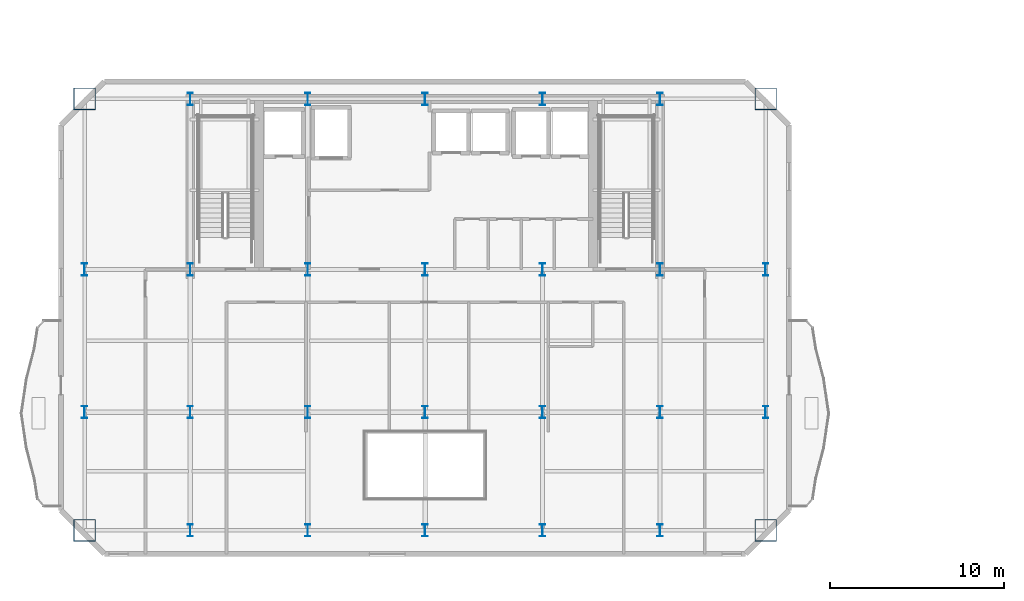
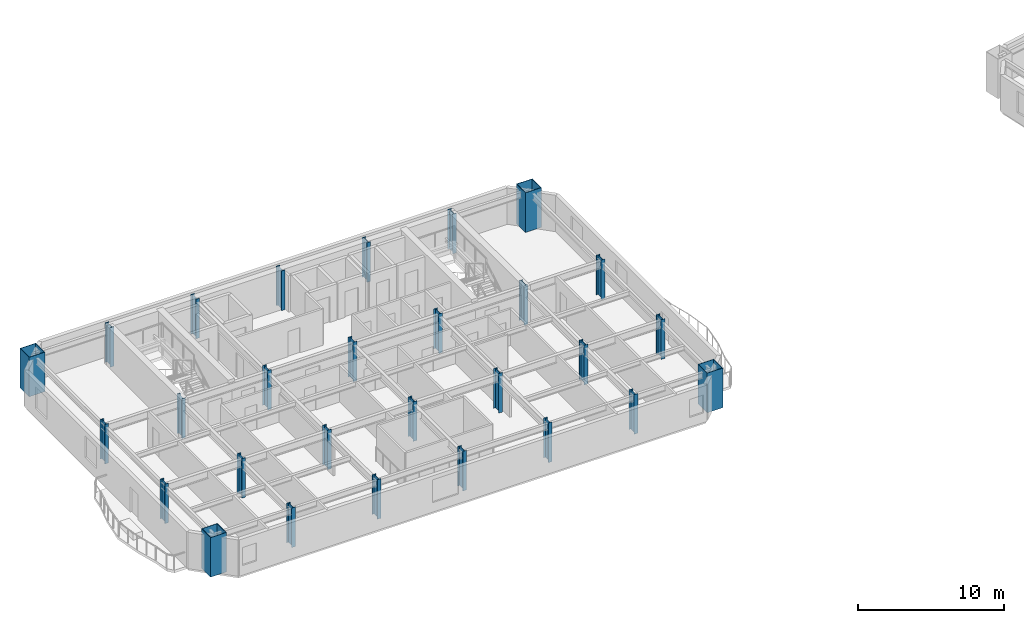
# One storey, part 1 of 14: 28 columns.
"""IFC4 building model written with IfcOpenShell, lengths in metres."""

import ifcopenshell
import ifcopenshell.guid

model = None  # the IFC model being written
_history = None  # IfcOwnerHistory: only IFC2X3 demands one
_inside = {}  # id of a spatial element -> (the spatial element, [elements in it])
_under = {}  # id of a project, library or spatial element -> (it, [spatial elements below it])
_declared = {}  # id of a project -> (the project, [libraries it declares])
_typed = {}  # id of a type object -> (the type object, [elements of that type])
_made_of = {}  # id of a material, layer set ... -> (it, [elements and type objects made of it])


def new_model(schema):
    """Start an empty IFC model of exactly this schema.

    Asked for "IFC4X3", IfcOpenShell would pick the latest addendum, in which some entities
    have other attributes; the version numbers below select the first issue.
    IFC2X3 requires an IfcOwnerHistory on every rooted entity: one is made here for all.
    """
    global model, _history
    if schema == "IFC4X3":
        model = ifcopenshell.file(schema_version=(4, 3, 0, 0))
    else:
        model = ifcopenshell.file(schema=schema)
    _inside.clear()
    _under.clear()
    _declared.clear()
    _typed.clear()
    _made_of.clear()
    _history = None
    if model.schema == "IFC2X3":
        org = make("IfcOrganization", Name="unknown")
        user = make(
            "IfcPersonAndOrganization",
            ThePerson=make("IfcPerson", FamilyName="unknown"),
            TheOrganization=org,
        )
        app = make(
            "IfcApplication",
            ApplicationDeveloper=org,
            Version="unknown",
            ApplicationFullName="unknown",
            ApplicationIdentifier="unknown",
        )
        _history = make(
            "IfcOwnerHistory",
            OwningUser=user,
            OwningApplication=app,
            ChangeAction="ADDED",
            CreationDate=0,
        )
    return model


def make(cls, **values):
    """One entity of the class cls with the attributes given. An attribute that is None is left unset."""
    return model.create_entity(
        cls, **{name: value for name, value in values.items() if value is not None}
    )


def rooted(cls, **values):
    """An entity with a GlobalId (a new one), such as an element, a storey or a relation."""
    return make(cls, GlobalId=ifcopenshell.guid.new(), OwnerHistory=_history, **values)


def si_unit(unit_type, name, prefix=None):
    """IfcSIUnit, for example si_unit("LENGTHUNIT", "METRE", prefix="MILLI")."""
    return make("IfcSIUnit", UnitType=unit_type, Prefix=prefix, Name=name)


def assignment(units):
    """IfcUnitAssignment: the units of a project."""
    return None if units is None else make("IfcUnitAssignment", Units=units)


def point(xyz):
    """IfcCartesianPoint."""
    return None if xyz is None else make("IfcCartesianPoint", Coordinates=xyz)


def direction(xyz):
    """IfcDirection."""
    return None if xyz is None else make("IfcDirection", DirectionRatios=xyz)


def frame(location, z_axis=None, x_axis=None):
    """IfcAxis2Placement3D, a coordinate frame: its origin and axes. An axis left out is left unset."""
    return make(
        "IfcAxis2Placement3D",
        Location=point(location),
        Axis=direction(z_axis),
        RefDirection=direction(x_axis),
    )


def frame_2d(location, x_axis=None):
    """IfcAxis2Placement2D, a coordinate frame in the plane: its origin and x axis."""
    return make(
        "IfcAxis2Placement2D", Location=point(location), RefDirection=direction(x_axis)
    )


def origin():
    """The frame at (0, 0, 0) with its axes left unset."""
    return frame((0.0, 0.0, 0.0))


def origin_2d():
    """The frame at (0, 0) in the plane with its x axis left unset."""
    return frame_2d((0.0, 0.0))


def place(relative_to, where):
    """IfcLocalPlacement: puts the frame where relative to a parent placement (None: the world)."""
    return make(
        "IfcLocalPlacement", PlacementRelTo=relative_to, RelativePlacement=where
    )


def context(
    kind, dimensions, precision=None, world=None, true_north=None, identifier=None
):
    """IfcGeometricRepresentationContext, for example the 3D "Model" context."""
    return make(
        "IfcGeometricRepresentationContext",
        ContextIdentifier=identifier,
        ContextType=kind,
        CoordinateSpaceDimension=dimensions,
        Precision=precision,
        WorldCoordinateSystem=world,
        TrueNorth=true_north,
    )


def subcontext(parent, identifier, kind, view, scale=None):
    """IfcGeometricRepresentationSubContext, for example "Body" below "Model"."""
    return make(
        "IfcGeometricRepresentationSubContext",
        ContextIdentifier=identifier,
        ContextType=kind,
        ParentContext=parent,
        TargetScale=scale,
        TargetView=view,
    )


def project(units=None, contexts=None):
    """IfcProject with its units and contexts."""
    return rooted(
        "IfcProject",
        Name="project",
        RepresentationContexts=contexts,
        UnitsInContext=assignment(units),
    )


def spatial(cls, under=None, at=None, **own):
    """A site, building, storey or space (cls), placed at a placement, below another one or the project."""
    s = rooted(cls, ObjectPlacement=at, **own)
    if under is not None:
        _under.setdefault(under.id(), (under, []))[1].append(s)
    return s


def profile(cls, at=None, kind="AREA", **sizes):
    """A parametric profile (cls). Its sizes go by their IFC names, for example OverallWidth=200.0."""
    return make(cls, ProfileType=kind, Position=at, **sizes)


def hollow_rectangle(**sizes):
    """IfcRectangleHollowProfileDef."""
    return profile("IfcRectangleHollowProfileDef", **sizes)


def i_section(**sizes):
    """IfcIShapeProfileDef."""
    return profile("IfcIShapeProfileDef", **sizes)


def extrude(swept, where, along, depth):
    """IfcExtrudedAreaSolid: the profile swept, set in the frame where, extruded along a direction by depth."""
    return make(
        "IfcExtrudedAreaSolid",
        SweptArea=swept,
        Position=where,
        ExtrudedDirection=direction(along),
        Depth=depth,
    )


def shape(context_of_items, identifier, shape_type, items):
    """IfcShapeRepresentation: the items that make up one representation, for example the "Body"."""
    return make(
        "IfcShapeRepresentation",
        ContextOfItems=context_of_items,
        RepresentationIdentifier=identifier,
        RepresentationType=shape_type,
        Items=items,
    )


def material(Name=None, Category=None):
    """IfcMaterial."""
    return make("IfcMaterial", Name=Name, Category=Category)


def material_profile(
    of_material, cross_section, Name=None, Category=None, Priority=None
):
    """IfcMaterialProfile: a cross section and its material."""
    return make(
        "IfcMaterialProfile",
        Name=Name,
        Material=of_material,
        Profile=cross_section,
        Priority=Priority,
        Category=Category,
    )


def profile_set(profiles, Name=None, composite=None):
    """IfcMaterialProfileSet."""
    return make(
        "IfcMaterialProfileSet",
        Name=Name,
        MaterialProfiles=profiles,
        CompositeProfile=composite,
    )


def made_of(thing, what):
    """Note that an element or type object is made of a material, layer set ...; save() writes the relation."""
    if what is not None:
        _made_of.setdefault(what.id(), (what, []))[1].append(thing)
    return thing


def type_object(cls, material=None, **own):
    """A type object (cls), such as IfcWallType, which elements share."""
    return made_of(rooted(cls, **own), material)


def element(
    cls,
    number,
    at=None,
    inside=None,
    cuts=None,
    type_object=None,
    material=None,
    context=None,
    identifier="Body",
    shape_type=None,
    held_by="IfcProductDefinitionShape",
    body=None,
    shapes=None,
    **own,
):
    """One element of the class cls, such as IfcWall. Its Tag is "e" and its number.

    at: its placement. inside: the storey or other place that contains it. cuts: it is an
    opening in that element (IfcRelVoidsElement). A single representation is given by context,
    identifier, shape_type and body (its items); several are given by shapes. held_by: the class
    of the entity that holds the representations. save() writes the other relations.
    """
    e = rooted(cls, Tag="e%d" % number, ObjectPlacement=at, **own)
    if body is not None:
        shapes = [shape(context, identifier, shape_type, body)]
    if shapes is not None:
        e.Representation = make(held_by, Representations=shapes)
    if inside is not None:
        _inside.setdefault(inside.id(), (inside, []))[1].append(e)
    if cuts is not None:
        rooted(
            "IfcRelVoidsElement", RelatingBuildingElement=cuts, RelatedOpeningElement=e
        )
    if type_object is not None:
        _typed.setdefault(type_object.id(), (type_object, []))[1].append(e)
    return made_of(e, material)


def aggregate(whole, parts):
    """IfcRelAggregates: a whole, such as a stair, and the parts it consists of."""
    return rooted("IfcRelAggregates", RelatingObject=whole, RelatedObjects=parts)


def save(model, path):
    """Write the relations noted so far, then the file.

    IfcRelAggregates (storeys below a building ...), IfcRelContainedInSpatialStructure (elements
    in a storey), IfcRelDefinesByType, IfcRelAssociatesMaterial and IfcRelDeclares: one each for
    every whole, place, type object, material and project.
    """
    for whole, parts in _under.values():
        aggregate(whole, parts)
    for where, things in _inside.values():
        rooted(
            "IfcRelContainedInSpatialStructure",
            RelatedElements=things,
            RelatingStructure=where,
        )
    for kind, things in _typed.values():
        rooted("IfcRelDefinesByType", RelatedObjects=things, RelatingType=kind)
    for what, things in _made_of.values():
        rooted("IfcRelAssociatesMaterial", RelatedObjects=things, RelatingMaterial=what)
    for by, libraries in _declared.values():
        rooted("IfcRelDeclares", RelatingContext=by, RelatedDefinitions=libraries)
    model.write(path)


model = new_model("IFC4")

# Units and contexts
model_context = context("Model", 3, precision=1e-05, world=origin(), true_north=direction((0.0, 1.0)))
body_context = subcontext(model_context, "Body", "Model", "MODEL_VIEW")
ifc_project = project(units=[si_unit("LENGTHUNIT", "METRE"), si_unit("AREAUNIT", "SQUARE_METRE"), si_unit("VOLUMEUNIT", "CUBIC_METRE"), si_unit("PLANEANGLEUNIT", "RADIAN"), si_unit("MASSUNIT", "GRAM", prefix="KILO")], contexts=[model_context])

# Site, building, storey
site_placement = place(None, origin())
site = spatial("IfcSite", under=ifc_project, at=site_placement, CompositionType="ELEMENT")
building_placement = place(site_placement, origin())
building = spatial("IfcBuilding", under=site, at=building_placement, Name="Haevon Station Towers", CompositionType="ELEMENT")
storey_placement = place(building_placement, frame((0.0, 0.0, 169.199951171875)))
storey = spatial("IfcBuildingStorey", under=building, at=storey_placement, Name="L46", CompositionType="ELEMENT", Elevation=169.199951171875)

# Columns
ifc_material_1 = material(Name="Steel S460", Category="steel")
ifc_material_profile_1 = material_profile(ifc_material_1, hollow_rectangle(XDim=1.25, YDim=1.25, WallThickness=0.034912109375, at=origin_2d()), Name="BOX-1250x1250x35")
ifc_profile_set_1 = profile_set([ifc_material_profile_1], Name="Steel S460")
column_type_1 = type_object("IfcColumnType", Name="COL-MC4", PredefinedType="COLUMN", material=ifc_profile_set_1)
for number, where, z_axis, x_axis, name in (
    (1, (17.925048828125, 23.199951171875, 0.0), (0.0, 0.0, 1.0), (1.0, 0.0, 0.0), "COL-T1-L46-01-01"),
    (2, (17.925048828125, 48.0, 0.0), (0.0, 0.0, 1.0), (1.0, 0.0, 0.0), "COL-T1-L46-01-04"),
    (3, (57.074951171875, 23.199951171875, 0.0), (0.0, 0.0, 1.0), (1.0, 0.0, 0.0), "COL-T1-L46-07-01"),
    (4, (57.074951171875, 48.0, 0.0), (0.0, 0.0, 1.0), (1.0, 0.0, 0.0), "COL-T1-L46-07-04"),
):
    element("IfcColumn", number, at=place(storey_placement, frame(where, z_axis=z_axis, x_axis=x_axis)), inside=storey, type_object=column_type_1, Name=name, PredefinedType="COLUMN", context=body_context, shape_type="SweptSolid", body=[
        extrude(hollow_rectangle(XDim=1.25, YDim=1.25, WallThickness=0.034912109375, at=origin_2d()), origin(), (0.0, 0.0, 1.0), 3.300048828125),
    ])
ifc_material_2 = material(Name="Steel S355", Category="steel")
ifc_material_profile_2 = material_profile(ifc_material_2, i_section(OverallWidth=0.300048828125, OverallDepth=0.699951171875, WebThickness=0.01611328125, FlangeThickness=0.028076171875, at=origin_2d()), Name="H-700x300x16x28")
ifc_profile_set_2 = profile_set([ifc_material_profile_2], Name="Steel S355")
column_type_2 = type_object("IfcColumnType", Name="COL-TW3", PredefinedType="COLUMN", material=ifc_profile_set_2)
for number, where, z_axis, x_axis, name in (
    (5, (17.925048828125, 30.0, 0.0), (0.0, 0.0, 1.0), (1.0, 0.0, 0.0), "COL-T1-L46-01-02"),
    (6, (17.925048828125, 38.199951171875, 0.0), (0.0, 0.0, 1.0), (1.0, 0.0, 0.0), "COL-T1-L46-01-03"),
    (7, (24.0, 23.199951171875, 0.0), (0.0, 0.0, 1.0), (1.0, 0.0, 0.0), "COL-T1-L46-02-01"),
    (8, (24.0, 30.0, 0.0), (0.0, 0.0, 1.0), (1.0, 0.0, 0.0), "COL-T1-L46-02-02"),
    (9, (24.0, 38.199951171875, 0.0), (0.0, 0.0, 1.0), (1.0, 0.0, 0.0), "COL-T1-L46-02-03"),
    (10, (24.0, 48.0, 0.0), (0.0, 0.0, 1.0), (1.0, 0.0, 0.0), "COL-T1-L46-02-04"),
    (11, (30.75, 23.199951171875, 0.0), (0.0, 0.0, 1.0), (1.0, 0.0, 0.0), "COL-T1-L46-03-01"),
    (12, (30.75, 30.0, 0.0), (0.0, 0.0, 1.0), (1.0, 0.0, 0.0), "COL-T1-L46-03-02"),
    (13, (30.75, 38.199951171875, 0.0), (0.0, 0.0, 1.0), (1.0, 0.0, 0.0), "COL-T1-L46-03-03"),
    (14, (30.75, 48.0, 0.0), (0.0, 0.0, 1.0), (1.0, 0.0, 0.0), "COL-T1-L46-03-04"),
    (15, (37.5, 23.199951171875, 0.0), (0.0, 0.0, 1.0), (1.0, 0.0, 0.0), "COL-T1-L46-04-01"),
    (16, (37.5, 30.0, 0.0), (0.0, 0.0, 1.0), (1.0, 0.0, 0.0), "COL-T1-L46-04-02"),
    (17, (37.5, 38.199951171875, 0.0), (0.0, 0.0, 1.0), (1.0, 0.0, 0.0), "COL-T1-L46-04-03"),
    (18, (37.5, 48.0, 0.0), (0.0, 0.0, 1.0), (1.0, 0.0, 0.0), "COL-T1-L46-04-04"),
    (19, (44.25, 23.199951171875, 0.0), (0.0, 0.0, 1.0), (1.0, 0.0, 0.0), "COL-T1-L46-05-01"),
    (20, (44.25, 30.0, 0.0), (0.0, 0.0, 1.0), (1.0, 0.0, 0.0), "COL-T1-L46-05-02"),
    (21, (44.25, 38.199951171875, 0.0), (0.0, 0.0, 1.0), (1.0, 0.0, 0.0), "COL-T1-L46-05-03"),
    (22, (44.25, 48.0, 0.0), (0.0, 0.0, 1.0), (1.0, 0.0, 0.0), "COL-T1-L46-05-04"),
    (23, (51.0, 23.199951171875, 0.0), (0.0, 0.0, 1.0), (1.0, 0.0, 0.0), "COL-T1-L46-06-01"),
    (24, (51.0, 30.0, 0.0), (0.0, 0.0, 1.0), (1.0, 0.0, 0.0), "COL-T1-L46-06-02"),
    (25, (51.0, 38.199951171875, 0.0), (0.0, 0.0, 1.0), (1.0, 0.0, 0.0), "COL-T1-L46-06-03"),
    (26, (51.0, 48.0, 0.0), (0.0, 0.0, 1.0), (1.0, 0.0, 0.0), "COL-T1-L46-06-04"),
    (27, (57.074951171875, 30.0, 0.0), (0.0, 0.0, 1.0), (1.0, 0.0, 0.0), "COL-T1-L46-07-02"),
    (28, (57.074951171875, 38.199951171875, 0.0), (0.0, 0.0, 1.0), (1.0, 0.0, 0.0), "COL-T1-L46-07-03"),
):
    element("IfcColumn", number, at=place(storey_placement, frame(where, z_axis=z_axis, x_axis=x_axis)), inside=storey, type_object=column_type_2, Name=name, PredefinedType="COLUMN", context=body_context, shape_type="SweptSolid", body=[
        extrude(i_section(OverallWidth=0.300048828125, OverallDepth=0.699951171875, WebThickness=0.01611328125, FlangeThickness=0.028076171875, at=origin_2d()), origin(), (0.0, 0.0, 1.0), 3.300048828125),
    ])

save(model, "model.ifc")
